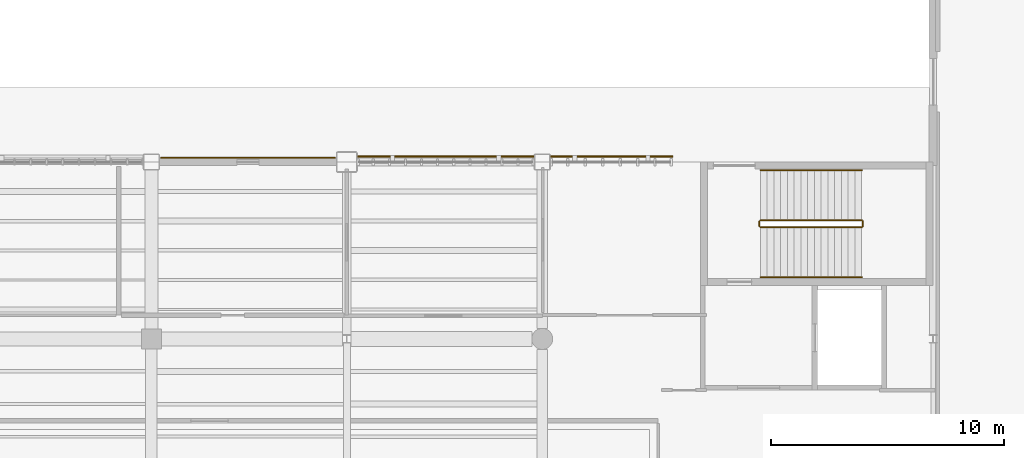
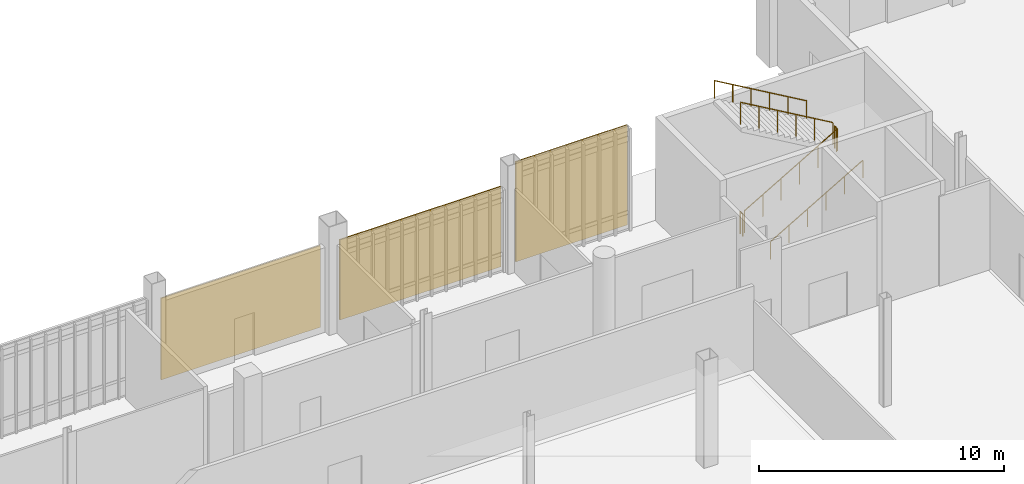
# One storey, part 106 of 111: 6 railings, 2 shading devices, 1 covering.
"""IFC4 building model written with IfcOpenShell, lengths in metres."""

from ifc_helpers import new_model, si_unit, direction, frame, origin, origin_2d, place, context, subcontext, project, spatial, rectangle, circle, extrude, material, layer, layer_set, type_object, element, save


model = new_model("IFC4")

# Units and contexts
model_context = context("Model", 3, precision=1e-05, world=origin(), true_north=direction((0.0, 1.0)))
body_context = subcontext(model_context, "Body", "Model", "MODEL_VIEW")
ifc_project = project(units=[si_unit("LENGTHUNIT", "METRE"), si_unit("AREAUNIT", "SQUARE_METRE"), si_unit("VOLUMEUNIT", "CUBIC_METRE"), si_unit("PLANEANGLEUNIT", "RADIAN"), si_unit("MASSUNIT", "GRAM", prefix="KILO")], contexts=[model_context])

# Site, building, storey
site_placement = place(None, origin())
site = spatial("IfcSite", under=ifc_project, at=site_placement, CompositionType="ELEMENT")
building_placement = place(site_placement, origin())
building = spatial("IfcBuilding", under=site, at=building_placement, Name="Larkvane Passage Sports Hall", CompositionType="ELEMENT")
storey_placement = place(building_placement, origin())
storey = spatial("IfcBuildingStorey", under=building, at=storey_placement, Name="L00", CompositionType="ELEMENT", Elevation=0.0)

# Covering
ifc_material_1 = material(Name="Perforated anodised aluminium 5052-H32", Category="aluminium")
ifc_layer_1 = layer(ifc_material_1, 0.050048828125)
ifc_layer_set_1 = layer_set([ifc_layer_1], Name="Perforated anodised aluminium 5052-H32")
covering_type = type_object("IfcCoveringType", Name="COV-MESH-VEIL", PredefinedType="CLADDING", material=ifc_layer_set_1)
covering_placement = place(storey_placement, frame((64.14990234375, 91.780029296875, 0.07470703125), z_axis=(0.0, 0.0, 1.0), x_axis=(1.0, 0.0, 0.0)))
element("IfcCovering", 1, at=covering_placement, inside=storey, type_object=covering_type, Name="Perforated cladding cassette L00-020", PredefinedType="CLADDING", context=body_context, shape_type="SweptSolid", body=[
    extrude(rectangle(XDim=7.508056640625, YDim=0.050048828125, at=origin_2d()), origin(), (0.0, 0.0, 1.0), 4.068115234375),
])

# Railings
ifc_material_2 = material(Name="Steel S355JR", Category="steel")
railing_type_1 = type_object("IfcRailingType", Name="RL-GUARD-1120", PredefinedType="GUARDRAIL", material=ifc_material_2)
railing_1_placement = place(storey_placement, frame((86.179931640625, 88.800048828125, 0.168701171875)))
element("IfcRailing", 2, at=railing_1_placement, inside=storey, type_object=railing_type_1, Name="L00 ST-03 stair guard 1", PredefinedType="GUARDRAIL", context=body_context, shape_type="SweptSolid", body=[
    extrude(circle(Radius=0.02392578125, at=origin_2d()), frame((0.001708984375, 0.0, 1.09716796875), z_axis=(0.864323800911, 0.0, 0.50293574856), x_axis=(0.0, 1.0, 0.0)), (0.0, 0.0, 1.0), 5.029052734375),
    extrude(circle(Radius=0.02099609375, at=origin_2d()), origin(), (0.0, 0.0, 1.0), 1.072021484375),
    extrude(circle(Radius=0.02099609375, at=origin_2d()), frame((0.8701171875, 0.0, 0.50634765625)), (0.0, 0.0, 1.0), 1.072021484375),
    extrude(circle(Radius=0.02099609375, at=origin_2d()), frame((1.739990234375, 0.0, 1.012451171875)), (0.0, 0.0, 1.0), 1.072021484375),
    extrude(circle(Radius=0.02099609375, at=origin_2d()), frame((2.610107421875, 0.0, 1.518798828125)), (0.0, 0.0, 1.0), 1.072021484375),
    extrude(circle(Radius=0.02099609375, at=origin_2d()), frame((3.47998046875, 0.0, 2.02490234375)), (0.0, 0.0, 1.0), 1.072021484375),
    extrude(circle(Radius=0.02099609375, at=origin_2d()), frame((4.35009765625, 0.0, 2.53125)), (0.0, 0.0, 1.0), 1.072021484375),
])
railing_2_placement = place(storey_placement, frame((90.580078125, 88.85009765625, 2.699951171875)))
element("IfcRailing", 3, at=railing_2_placement, inside=storey, type_object=railing_type_1, Name="L00 ST-03 stair guard 2", PredefinedType="GUARDRAIL", context=body_context, shape_type="SweptSolid", body=[
    extrude(circle(Radius=0.02392578125, at=origin_2d()), frame((0.0, 0.001953125, 1.09619140625), z_axis=(0.0, 1.0, 0.0), x_axis=(-1.0, 0.0, 0.0)), (0.0, 0.0, 1.0), 0.196044921875),
    extrude(circle(Radius=0.02099609375, at=origin_2d()), origin(), (0.0, 0.0, 1.0), 1.072021484375),
    extrude(circle(Radius=0.02099609375, at=origin_2d()), frame((0.0, 0.199951171875, 0.0)), (0.0, 0.0, 1.0), 1.072021484375),
])
railing_3_placement = place(storey_placement, frame((90.530029296875, 89.10009765625, 2.86865234375)))
element("IfcRailing", 4, at=railing_3_placement, inside=storey, type_object=railing_type_1, Name="L00 ST-03 stair guard 3", PredefinedType="GUARDRAIL", context=body_context, shape_type="SweptSolid", body=[
    extrude(circle(Radius=0.02392578125, at=origin_2d()), frame((-0.001708984375, 0.0, 1.09716796875), z_axis=(-0.864323800911, 0.0, 0.50293574856), x_axis=(0.0, -1.0, 0.0)), (0.0, 0.0, 1.0), 5.029052734375),
    extrude(circle(Radius=0.02099609375, at=origin_2d()), origin(), (0.0, 0.0, 1.0), 1.072021484375),
    extrude(circle(Radius=0.02099609375, at=origin_2d()), frame((-0.8701171875, 0.0, 0.50634765625)), (0.0, 0.0, 1.0), 1.072021484375),
    extrude(circle(Radius=0.02099609375, at=origin_2d()), frame((-1.739990234375, 0.0, 1.012451171875)), (0.0, 0.0, 1.0), 1.072021484375),
    extrude(circle(Radius=0.02099609375, at=origin_2d()), frame((-2.610107421875, 0.0, 1.518798828125)), (0.0, 0.0, 1.0), 1.072021484375),
    extrude(circle(Radius=0.02099609375, at=origin_2d()), frame((-3.47998046875, 0.0, 2.02490234375)), (0.0, 0.0, 1.0), 1.072021484375),
    extrude(circle(Radius=0.02099609375, at=origin_2d()), frame((-4.35009765625, 0.0, 2.53125)), (0.0, 0.0, 1.0), 1.072021484375),
])
railing_4_placement = place(storey_placement, frame((86.1298828125, 88.85009765625, 0.0)))
element("IfcRailing", 5, at=railing_4_placement, inside=storey, type_object=railing_type_1, Name="L00 ST-03 stair guard 4", PredefinedType="GUARDRAIL", context=body_context, shape_type="SweptSolid", body=[
    extrude(circle(Radius=0.02392578125, at=origin_2d()), frame((0.0, 0.001953125, 1.09619140625), z_axis=(0.0, 1.0, 0.0), x_axis=(-1.0, 0.0, 0.0)), (0.0, 0.0, 1.0), 0.196044921875),
    extrude(circle(Radius=0.02099609375, at=origin_2d()), origin(), (0.0, 0.0, 1.0), 1.072021484375),
    extrude(circle(Radius=0.02099609375, at=origin_2d()), frame((0.0, 0.199951171875, 0.0)), (0.0, 0.0, 1.0), 1.072021484375),
])
ifc_material_3 = material(Name="Stainless steel S355JR", Category="steel")
railing_type_2 = type_object("IfcRailingType", Name="RL-HAND-920", PredefinedType="HANDRAIL", material=ifc_material_3)
railing_5_placement = place(storey_placement, frame((86.179931640625, 86.64990234375, 0.168701171875)))
element("IfcRailing", 6, at=railing_5_placement, inside=storey, type_object=railing_type_2, Name="L00 ST-03 stair handrail 1", PredefinedType="HANDRAIL", context=body_context, shape_type="SweptSolid", body=[
    extrude(circle(Radius=0.02392578125, at=origin_2d()), frame((0.001708984375, 0.0, 0.876953125), z_axis=(0.864323800911, 0.0, 0.50293574856), x_axis=(0.0, 1.0, 0.0)), (0.0, 0.0, 1.0), 5.029052734375),
    extrude(circle(Radius=0.02099609375, at=origin_2d()), origin(), (0.0, 0.0, 1.0), 0.851806640625),
    extrude(circle(Radius=0.02099609375, at=origin_2d()), frame((0.8701171875, 0.0, 0.50634765625)), (0.0, 0.0, 1.0), 0.851806640625),
    extrude(circle(Radius=0.02099609375, at=origin_2d()), frame((1.739990234375, 0.0, 1.012451171875)), (0.0, 0.0, 1.0), 0.851806640625),
    extrude(circle(Radius=0.02099609375, at=origin_2d()), frame((2.610107421875, 0.0, 1.518798828125)), (0.0, 0.0, 1.0), 0.851806640625),
    extrude(circle(Radius=0.02099609375, at=origin_2d()), frame((3.47998046875, 0.0, 2.02490234375)), (0.0, 0.0, 1.0), 0.851806640625),
    extrude(circle(Radius=0.02099609375, at=origin_2d()), frame((4.35009765625, 0.0, 2.53125)), (0.0, 0.0, 1.0), 0.851806640625),
])
railing_6_placement = place(storey_placement, frame((90.530029296875, 91.25, 2.86865234375)))
element("IfcRailing", 7, at=railing_6_placement, inside=storey, type_object=railing_type_2, Name="L00 ST-03 stair handrail 2", PredefinedType="HANDRAIL", context=body_context, shape_type="SweptSolid", body=[
    extrude(circle(Radius=0.02392578125, at=origin_2d()), frame((-0.001708984375, 0.0, 0.876953125), z_axis=(-0.864323800911, 0.0, 0.50293574856), x_axis=(0.0, -1.0, 0.0)), (0.0, 0.0, 1.0), 5.029052734375),
    extrude(circle(Radius=0.02099609375, at=origin_2d()), origin(), (0.0, 0.0, 1.0), 0.851806640625),
    extrude(circle(Radius=0.02099609375, at=origin_2d()), frame((-0.8701171875, 0.0, 0.50634765625)), (0.0, 0.0, 1.0), 0.851806640625),
    extrude(circle(Radius=0.02099609375, at=origin_2d()), frame((-1.739990234375, 0.0, 1.012451171875)), (0.0, 0.0, 1.0), 0.851806640625),
    extrude(circle(Radius=0.02099609375, at=origin_2d()), frame((-2.610107421875, 0.0, 1.518798828125)), (0.0, 0.0, 1.0), 0.851806640625),
    extrude(circle(Radius=0.02099609375, at=origin_2d()), frame((-3.47998046875, 0.0, 2.02490234375)), (0.0, 0.0, 1.0), 0.851806640625),
    extrude(circle(Radius=0.02099609375, at=origin_2d()), frame((-4.35009765625, 0.0, 2.53125)), (0.0, 0.0, 1.0), 0.851806640625),
])

# Shading devices
ifc_layer_2 = layer(ifc_material_1, 0.06005859375)
ifc_layer_set_2 = layer_set([ifc_layer_2], Name="Perforated anodised aluminium 5052-H32")
shading_device_type = type_object("IfcShadingDeviceType", Name="SHD-VEIL-PERF", PredefinedType="SHUTTER", material=ifc_layer_set_2)
shading_device_1_placement = place(storey_placement, frame((72.64990234375, 91.840087890625, 0.06005859375), z_axis=(0.0, 0.0, 1.0), x_axis=(1.0, 0.0, 0.0)))
element("IfcShadingDevice", 8, at=shading_device_1_placement, inside=storey, type_object=shading_device_type, Name="Solar veil screen L00-007", PredefinedType="SHUTTER", context=body_context, shape_type="SweptSolid", body=[
    extrude(rectangle(XDim=7.60791015625, YDim=0.06005859375, at=origin_2d()), origin(), (0.0, 0.0, 1.0), 3.998046875),
])
shading_device_2_placement = place(storey_placement, frame((79.77294921875, 91.840087890625, 0.06005859375), z_axis=(0.0, 0.0, 1.0), x_axis=(1.0, 0.0, 0.0)))
element("IfcShadingDevice", 9, at=shading_device_2_placement, inside=storey, type_object=shading_device_type, Name="Solar veil screen L00-008", PredefinedType="SHUTTER", context=body_context, shape_type="SweptSolid", body=[
    extrude(rectangle(XDim=5.25390625, YDim=0.06005859375, at=origin_2d()), origin(), (0.0, 0.0, 1.0), 4.97998046875),
])

save(model, "model.ifc")
